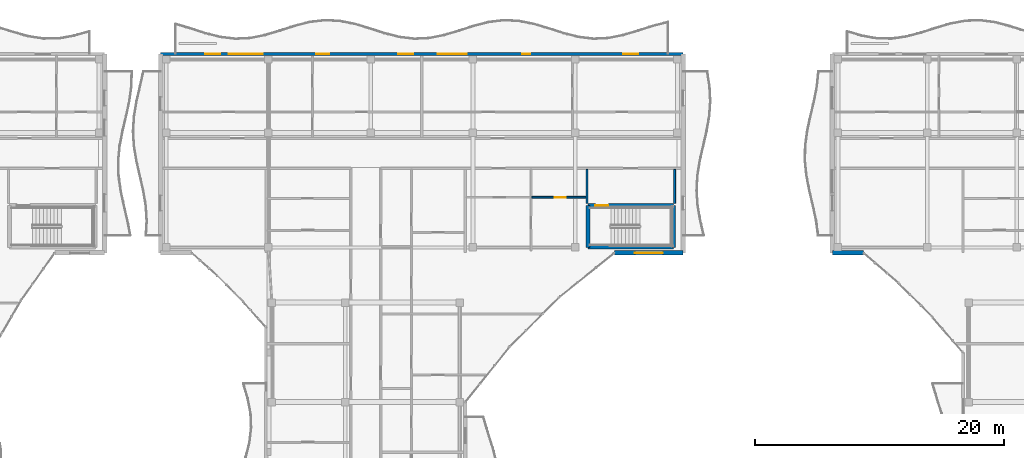
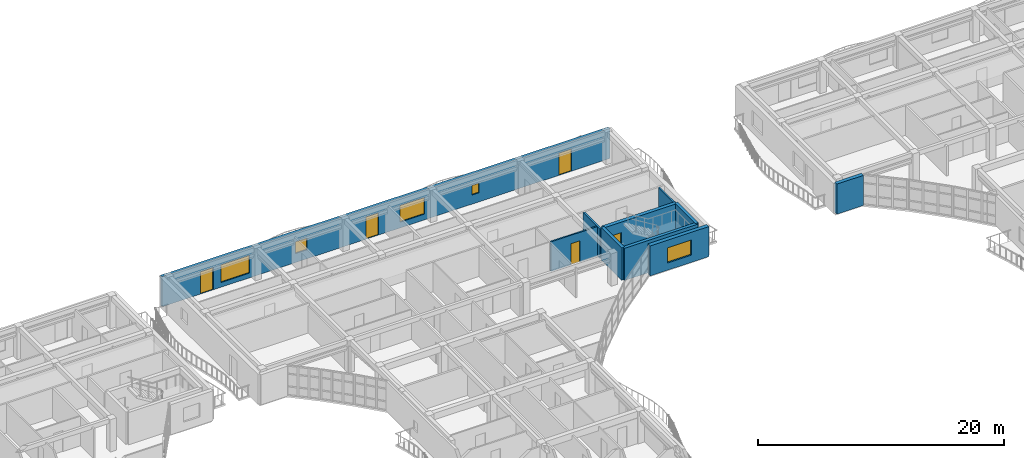
# One storey, part 45 of 79: 10 walls, 5 doors, 5 windows, 10 openings.
"""IFC4 building model written with IfcOpenShell, lengths in metres."""

from ifc_helpers import new_model, si_unit, direction, frame, frame_2d, origin, place, context, subcontext, project, spatial, rectangle, extrude, material, layer, layer_set, type_object, element, fill, save


model = new_model("IFC4")

# Units and contexts
model_context = context("Model", 3, precision=1e-05, world=origin(), true_north=direction((0.0, 1.0)))
body_context = subcontext(model_context, "Body", "Model", "MODEL_VIEW")
ifc_project = project(units=[si_unit("LENGTHUNIT", "METRE"), si_unit("AREAUNIT", "SQUARE_METRE"), si_unit("VOLUMEUNIT", "CUBIC_METRE"), si_unit("PLANEANGLEUNIT", "RADIAN"), si_unit("MASSUNIT", "GRAM", prefix="KILO")], contexts=[model_context])

# Site, building, storey
site_placement = place(None, origin())
site = spatial("IfcSite", under=ifc_project, at=site_placement, CompositionType="ELEMENT")
building_placement = place(site_placement, origin())
building = spatial("IfcBuilding", under=site, at=building_placement, Name="Keldmere Railside Commons", CompositionType="ELEMENT")
storey_placement = place(building_placement, frame((0.0, 0.0, 10.56005859375)))
storey = spatial("IfcBuildingStorey", under=building, at=storey_placement, Name="L03", CompositionType="ELEMENT", Elevation=10.56005859375)

# Wall, opening, window
ifc_material_1 = material(Name="Concrete H-35 (C35/45)", Category="concrete")
ifc_layer_1 = layer(ifc_material_1, 0.360107421875, Name="Exterior Shear Wall 360")
ifc_layer_set_1 = layer_set([ifc_layer_1], Name="Concrete H-35 (C35/45)")
wall_type_1 = type_object("IfcWallType", Name="Exterior Shear Wall 360", PredefinedType="SHEAR", material=ifc_layer_set_1)
wall_1_placement = place(storey_placement, frame((81.5, 100.0, 0.0), z_axis=(0.0, 0.0, 1.0), x_axis=(-1.0, 0.0, 0.0)))
wall_1 = element("IfcWall", 1, at=wall_1_placement, inside=storey, type_object=wall_type_1, Name="ESW-1 EXTC-L03-0346", PredefinedType="SHEAR", context=body_context, shape_type="SweptSolid", body=[
    extrude(rectangle(XDim=5.5, YDim=0.360107421875, at=frame_2d((2.75, 0.0))), origin(), (0.0, 0.0, 1.0), 2.97998046875),
])
opening_1_placement = place(wall_1_placement, frame((1.625, 0.0, 0.719970703125)))
opening_1 = element("IfcOpeningElement", 2, at=opening_1_placement, cuts=wall_1, Name="Opening WN-12", PredefinedType="OPENING", context=body_context, shape_type="SweptSolid", body=[
    extrude(rectangle(XDim=2.25, YDim=1.5, at=frame_2d((1.125, 0.75))), frame((0.0, 0.18994140625, 0.0), z_axis=(0.0, -1.0, 0.0), x_axis=(1.0, 0.0, 0.0)), (0.0, 0.0, 1.0), 0.380126953125),
])
ifc_material_2 = material(Name="Low-E Insulated Double Glazing", Category="glass")
window_type_1 = type_object("IfcWindowType", Name="Studio Court Ribbon Window 2250x1500", PartitioningType="SINGLE_PANEL", PredefinedType="WINDOW", material=ifc_material_2)
window_1_placement = place(opening_1_placement, origin())
window_1 = element("IfcWindow", 3, at=window_1_placement, inside=storey, type_object=window_type_1, Name="WN-12 WIN-L03-0216", OverallHeight=1.5, OverallWidth=2.25, PartitioningType="SINGLE_PANEL", PredefinedType="WINDOW", context=body_context, shape_type="SweptSolid", body=[
    extrude(rectangle(XDim=2.25, YDim=1.5, at=frame_2d((1.125, 0.75))), frame((0.0, 0.030029296875, 0.0), z_axis=(0.0, -1.0, 0.0), x_axis=(1.0, 0.0, 0.0)), (0.0, 0.0, 1.0), 0.06005859375),
])
fill(opening_1, window_1)

# Walls
wall_2_placement = place(storey_placement, frame((96.0, 100.0, 0.0), z_axis=(0.0, 0.0, 1.0), x_axis=(-1.0, 0.0, 0.0)))
element("IfcWall", 4, at=wall_2_placement, inside=storey, type_object=wall_type_1, Name="ESW-1 EXTB-L03-0608", PredefinedType="SHEAR", context=body_context, shape_type="SweptSolid", body=[
    extrude(rectangle(XDim=2.5, YDim=0.360107421875, at=frame_2d((1.25, 0.0))), origin(), (0.0, 0.0, 1.0), 2.97998046875),
])
ifc_layer_2 = layer(ifc_material_1, 0.300048828125, Name="Interior Shear Wall 300")
ifc_layer_set_2 = layer_set([ifc_layer_2], Name="Concrete H-35 (C35/45)")
wall_type_2 = type_object("IfcWallType", Name="Interior Shear Wall 300", PredefinedType="SHEAR", material=ifc_layer_set_2)
wall_3_placement = place(storey_placement, frame((73.85009765625, 100.449951171875, 0.0), z_axis=(0.0, 0.0, 1.0), x_axis=(1.0, 0.0, 0.0)))
element("IfcWall", 5, at=wall_3_placement, inside=storey, type_object=wall_type_2, Name="ISW-2 COREC2S-L03-0242", PredefinedType="SHEAR", context=body_context, shape_type="SweptSolid", body=[
    extrude(rectangle(XDim=6.89990234375, YDim=0.300048828125, at=frame_2d((3.449951171875, 0.0))), origin(), (0.0, 0.0, 1.0), 3.199951171875),
])
for number, where, z_axis, x_axis, name in (
    (6, (73.85009765625, 103.820068359375, 0.0), (0.0, 0.0, 1.0), (0.0, -1.0, 0.0), "ISW-2 COREC2W-L03-0244"),
    (7, (80.75, 100.449951171875, 0.0), (0.0, 0.0, 1.0), (0.0, 1.0, 0.0), "ISW-2 COREC2E-L03-0245"),
):
    element("IfcWall", number, at=place(storey_placement, frame(where, z_axis=z_axis, x_axis=x_axis)), inside=storey, type_object=wall_type_2, Name=name, PredefinedType="SHEAR", context=body_context, shape_type="SweptSolid", body=[
        extrude(rectangle(XDim=3.3701171875, YDim=0.300048828125, at=frame_2d((1.68505859375, 0.0))), origin(), (0.0, 0.0, 1.0), 3.199951171875),
    ])

# Wall, opening, door
ifc_layer_3 = layer(ifc_material_1, 0.340087890625, Name="Interior Shear Wall 340")
ifc_layer_set_3 = layer_set([ifc_layer_3], Name="Concrete H-35 (C35/45)")
wall_type_3 = type_object("IfcWallType", Name="Interior Shear Wall 340", PredefinedType="SHEAR", material=ifc_layer_set_3)
wall_4_placement = place(storey_placement, frame((80.75, 103.820068359375, 0.0), z_axis=(0.0, 0.0, 1.0), x_axis=(-1.0, 0.0, 0.0)))
wall_4 = element("IfcWall", 8, at=wall_4_placement, inside=storey, type_object=wall_type_3, Name="ISW-1 COREC2N-L03-0243", PredefinedType="SHEAR", context=body_context, shape_type="SweptSolid", body=[
    extrude(rectangle(XDim=6.89990234375, YDim=0.340087890625, at=frame_2d((3.449951171875, 0.0))), origin(), (0.0, 0.0, 1.0), 3.199951171875),
])
opening_2_placement = place(wall_4_placement, frame((5.25, 0.0, 0.0)))
opening_2 = element("IfcOpeningElement", 9, at=opening_2_placement, cuts=wall_4, Name="Opening FD-1", PredefinedType="OPENING", context=body_context, shape_type="SweptSolid", body=[
    extrude(rectangle(XDim=1.050048828125, YDim=2.14990234375, at=frame_2d((0.52490234375, 1.074951171875))), frame((0.0, 0.179931640625, 0.0), z_axis=(0.0, -1.0, 0.0), x_axis=(1.0, 0.0, 0.0)), (0.0, 0.0, 1.0), 0.360107421875),
])
ifc_material_3 = material(Name="Steel F-24 (S235)", Category="steel")
door_type_1 = type_object("IfcDoorType", Name="Stair Core Fire Door 1050x2150", OperationType="NOTDEFINED", PredefinedType="DOOR", material=ifc_material_3)
door_1_placement = place(opening_2_placement, origin())
door_1 = element("IfcDoor", 10, at=door_1_placement, inside=storey, type_object=door_type_1, Name="FD-1 C2 L03", OperationType="SINGLE_SWING_RIGHT", OverallHeight=2.14990234375, OverallWidth=1.050048828125, PredefinedType="DOOR", context=body_context, shape_type="SweptSolid", body=[
    extrude(rectangle(XDim=1.050048828125, YDim=2.14990234375, at=frame_2d((0.52490234375, 1.074951171875))), frame((0.0, 0.02490234375, 0.0), z_axis=(0.0, -1.0, 0.0), x_axis=(1.0, 0.0, 0.0)), (0.0, 0.0, 1.0), 0.050048828125),
])
fill(opening_2, door_1)

# Walls
ifc_material_4 = material(Name="Acoustic Gypsum Board Partition", Category="gypsum")
ifc_layer_4 = layer(ifc_material_4, 0.14990234375, Name="Lobby Rated Partition 150")
ifc_layer_set_4 = layer_set([ifc_layer_4], Name="Acoustic Gypsum Board Partition")
wall_type_4 = type_object("IfcWallType", Name="Lobby Rated Partition 150", PredefinedType="PARTITIONING", material=ifc_layer_set_4)
for number, where, z_axis, x_axis, name in (
    (11, (73.780029296875, 103.989990234375, 0.0), (0.0, 0.0, 1.0), (0.0, 1.0, 0.0), "IW-3 IW-L03-0602"),
    (12, (80.820068359375, 103.989990234375, 0.0), (0.0, 0.0, 1.0), (0.0, 1.0, 0.0), "IW-3 IW-L03-0603"),
):
    element("IfcWall", number, at=place(storey_placement, frame(where, z_axis=z_axis, x_axis=x_axis)), inside=storey, type_object=wall_type_4, Name=name, PredefinedType="PARTITIONING", context=body_context, shape_type="SweptSolid", body=[
        extrude(rectangle(XDim=2.72998046875, YDim=0.14990234375, at=frame_2d((1.364990234375, 0.0))), origin(), (0.0, 0.0, 1.0), 2.93505859375),
    ])

# Wall, openings, windows, doors
ifc_material_5 = material(Name="Terracotta Brick Masonry", Category="masonry")
ifc_layer_5 = layer(ifc_material_5, 0.260009765625, Name="Terracotta Cavity Wall 260")
ifc_layer_set_5 = layer_set([ifc_layer_5], Name="Terracotta Brick Masonry")
wall_type_5 = type_object("IfcWallType", Name="Terracotta Cavity Wall 260", PredefinedType="SOLIDWALL", material=ifc_layer_set_5)
wall_5_placement = place(storey_placement, frame((39.5, 116.0, 0.0), z_axis=(0.0, 0.0, 1.0), x_axis=(1.0, 0.0, 0.0)))
wall_5 = element("IfcWall", 13, at=wall_5_placement, inside=storey, type_object=wall_type_5, Name="EW-1 EXTC-L03-0348", PredefinedType="SOLIDWALL", context=body_context, shape_type="SweptSolid", body=[
    extrude(rectangle(XDim=42.0, YDim=0.260009765625, at=frame_2d((21.0, 0.0))), origin(), (0.0, 0.0, 1.0), 2.97998046875),
])
opening_3_placement = place(wall_5_placement, frame((3.60009765625, 0.0, 0.0)))
opening_3 = element("IfcOpeningElement", 14, at=opening_3_placement, cuts=wall_5, Name="Opening BD-01", PredefinedType="OPENING", context=body_context, shape_type="SweptSolid", body=[
    extrude(rectangle(XDim=1.199951171875, YDim=2.199951171875, at=frame_2d((0.60009765625, 1.10009765625))), frame((0.0, 0.139892578125, 0.0), z_axis=(0.0, -1.0, 0.0), x_axis=(1.0, 0.0, 0.0)), (0.0, 0.0, 1.0), 0.280029296875),
])
opening_4_placement = place(wall_5_placement, frame((5.5, 0.0, 0.469970703125)))
opening_4 = element("IfcOpeningElement", 15, at=opening_4_placement, cuts=wall_5, Name="Opening WN-19", PredefinedType="OPENING", context=body_context, shape_type="SweptSolid", body=[
    extrude(rectangle(XDim=2.699951171875, YDim=1.75, at=frame_2d((1.35009765625, 0.875))), frame((0.0, 0.139892578125, 0.0), z_axis=(0.0, -1.0, 0.0), x_axis=(1.0, 0.0, 0.0)), (0.0, 0.0, 1.0), 0.280029296875),
])
opening_5_placement = place(wall_5_placement, frame((12.52490234375, 0.0, 0.89990234375)))
opening_5 = element("IfcOpeningElement", 16, at=opening_5_placement, cuts=wall_5, Name="Opening WN-13", PredefinedType="OPENING", context=body_context, shape_type="SweptSolid", body=[
    extrude(rectangle(XDim=1.050048828125, YDim=1.14990234375, at=frame_2d((0.52490234375, 0.574951171875))), frame((0.0, 0.139892578125, 0.0), z_axis=(0.0, -1.0, 0.0), x_axis=(1.0, 0.0, 0.0)), (0.0, 0.0, 1.0), 0.280029296875),
])
opening_6_placement = place(wall_5_placement, frame((19.10009765625, 0.0, 0.0)))
opening_6 = element("IfcOpeningElement", 17, at=opening_6_placement, cuts=wall_5, Name="Opening BD-01", PredefinedType="OPENING", context=body_context, shape_type="SweptSolid", body=[
    extrude(rectangle(XDim=1.199951171875, YDim=2.199951171875, at=frame_2d((0.60009765625, 1.10009765625))), frame((0.0, 0.139892578125, 0.0), z_axis=(0.0, -1.0, 0.0), x_axis=(1.0, 0.0, 0.0)), (0.0, 0.0, 1.0), 0.280029296875),
])
opening_7_placement = place(wall_5_placement, frame((22.300048828125, 0.0, 0.570068359375)))
opening_7 = element("IfcOpeningElement", 18, at=opening_7_placement, cuts=wall_5, Name="Opening WN-23", PredefinedType="OPENING", context=body_context, shape_type="SweptSolid", body=[
    extrude(rectangle(XDim=2.300048828125, YDim=1.64990234375, at=frame_2d((1.14990234375, 0.824951171875))), frame((0.0, 0.139892578125, 0.0), z_axis=(0.0, -1.0, 0.0), x_axis=(1.0, 0.0, 0.0)), (0.0, 0.0, 1.0), 0.280029296875),
])
opening_8_placement = place(wall_5_placement, frame((29.074951171875, 0.0, 0.89990234375)))
opening_8 = element("IfcOpeningElement", 19, at=opening_8_placement, cuts=wall_5, Name="Opening WN-15", PredefinedType="OPENING", context=body_context, shape_type="SweptSolid", body=[
    extrude(rectangle(XDim=0.64990234375, YDim=0.949951171875, at=frame_2d((0.324951171875, 0.47509765625))), frame((0.0, 0.139892578125, 0.0), z_axis=(0.0, -1.0, 0.0), x_axis=(1.0, 0.0, 0.0)), (0.0, 0.0, 1.0), 0.280029296875),
])
opening_9_placement = place(wall_5_placement, frame((37.199951171875, 0.0, 0.0)))
opening_9 = element("IfcOpeningElement", 20, at=opening_9_placement, cuts=wall_5, Name="Opening BD-01", PredefinedType="OPENING", context=body_context, shape_type="SweptSolid", body=[
    extrude(rectangle(XDim=1.199951171875, YDim=2.199951171875, at=frame_2d((0.60009765625, 1.10009765625))), frame((0.0, 0.139892578125, 0.0), z_axis=(0.0, -1.0, 0.0), x_axis=(1.0, 0.0, 0.0)), (0.0, 0.0, 1.0), 0.280029296875),
])
window_type_2 = type_object("IfcWindowType", Name="Apartment Kitchen Casement Window 1050x1150", PartitioningType="SINGLE_PANEL", PredefinedType="WINDOW", material=ifc_material_2)
window_2_placement = place(opening_5_placement, origin())
window_2 = element("IfcWindow", 21, at=window_2_placement, inside=storey, type_object=window_type_2, Name="WN-13 WIN-L03-0220", OverallHeight=1.14990234375, OverallWidth=1.050048828125, PartitioningType="SINGLE_PANEL", PredefinedType="WINDOW", context=body_context, shape_type="SweptSolid", body=[
    extrude(rectangle(XDim=1.050048828125, YDim=1.14990234375, at=frame_2d((0.52490234375, 0.574951171875))), frame((0.0, 0.030029296875, 0.0), z_axis=(0.0, -1.0, 0.0), x_axis=(1.0, 0.0, 0.0)), (0.0, 0.0, 1.0), 0.06005859375),
])
fill(opening_5, window_2)
ifc_material_6 = material(Name="Thermally Broken Aluminium", Category="aluminium")
door_type_2 = type_object("IfcDoorType", Name="Apartment Living Wave-Balcony Glazed Door 1200x2200", OperationType="NOTDEFINED", PredefinedType="DOOR", material=ifc_material_6)
door_2_placement = place(opening_3_placement, origin())
door_2 = element("IfcDoor", 22, at=door_2_placement, inside=storey, type_object=door_type_2, Name="BD-01 DR-L03-0072", OperationType="SINGLE_SWING_RIGHT", OverallHeight=2.199951171875, OverallWidth=1.199951171875, PredefinedType="DOOR", context=body_context, shape_type="SweptSolid", body=[
    extrude(rectangle(XDim=1.199951171875, YDim=2.199951171875, at=frame_2d((0.60009765625, 1.10009765625))), frame((0.0, 0.02490234375, 0.0), z_axis=(0.0, -1.0, 0.0), x_axis=(1.0, 0.0, 0.0)), (0.0, 0.0, 1.0), 0.050048828125),
])
fill(opening_3, door_2)
door_3_placement = place(opening_6_placement, origin())
door_3 = element("IfcDoor", 23, at=door_3_placement, inside=storey, type_object=door_type_2, Name="BD-01 DR-L03-0073", OperationType="SINGLE_SWING_LEFT", OverallHeight=2.199951171875, OverallWidth=1.199951171875, PredefinedType="DOOR", context=body_context, shape_type="SweptSolid", body=[
    extrude(rectangle(XDim=1.199951171875, YDim=2.199951171875, at=frame_2d((0.60009765625, 1.10009765625))), frame((0.0, 0.02490234375, 0.0), z_axis=(0.0, -1.0, 0.0), x_axis=(1.0, 0.0, 0.0)), (0.0, 0.0, 1.0), 0.050048828125),
])
fill(opening_6, door_3)
door_4_placement = place(opening_9_placement, origin())
door_4 = element("IfcDoor", 24, at=door_4_placement, inside=storey, type_object=door_type_2, Name="BD-01 DR-L03-0074", OperationType="SINGLE_SWING_RIGHT", OverallHeight=2.199951171875, OverallWidth=1.199951171875, PredefinedType="DOOR", context=body_context, shape_type="SweptSolid", body=[
    extrude(rectangle(XDim=1.199951171875, YDim=2.199951171875, at=frame_2d((0.60009765625, 1.10009765625))), frame((0.0, 0.02490234375, 0.0), z_axis=(0.0, -1.0, 0.0), x_axis=(1.0, 0.0, 0.0)), (0.0, 0.0, 1.0), 0.050048828125),
])
fill(opening_9, door_4)
window_type_3 = type_object("IfcWindowType", Name="Exterior Bathroom Frosted Window 650x950", PartitioningType="SINGLE_PANEL", PredefinedType="WINDOW", material=ifc_material_2)
window_3_placement = place(opening_8_placement, origin())
window_3 = element("IfcWindow", 25, at=window_3_placement, inside=storey, type_object=window_type_3, Name="WN-15 WIN-L03-0222", OverallHeight=0.949951171875, OverallWidth=0.64990234375, PartitioningType="SINGLE_PANEL", PredefinedType="WINDOW", context=body_context, shape_type="SweptSolid", body=[
    extrude(rectangle(XDim=0.64990234375, YDim=0.949951171875, at=frame_2d((0.324951171875, 0.47509765625))), frame((0.0, 0.030029296875, 0.0), z_axis=(0.0, -1.0, 0.0), x_axis=(1.0, 0.0, 0.0)), (0.0, 0.0, 1.0), 0.06005859375),
])
fill(opening_8, window_3)
window_type_4 = type_object("IfcWindowType", Name="Resident Lounge Panorama Window 2700x1750", PartitioningType="SINGLE_PANEL", PredefinedType="WINDOW", material=ifc_material_2)
window_4_placement = place(opening_4_placement, origin())
window_4 = element("IfcWindow", 26, at=window_4_placement, inside=storey, type_object=window_type_4, Name="WN-19 WIN-L03-0219", OverallHeight=1.75, OverallWidth=2.699951171875, PartitioningType="SINGLE_PANEL", PredefinedType="WINDOW", context=body_context, shape_type="SweptSolid", body=[
    extrude(rectangle(XDim=2.699951171875, YDim=1.75, at=frame_2d((1.35009765625, 0.875))), frame((0.0, 0.030029296875, 0.0), z_axis=(0.0, -1.0, 0.0), x_axis=(1.0, 0.0, 0.0)), (0.0, 0.0, 1.0), 0.06005859375),
])
fill(opening_4, window_4)
window_type_5 = type_object("IfcWindowType", Name="Setback Terrace Penthouse Window 2300x1650", PartitioningType="SINGLE_PANEL", PredefinedType="WINDOW", material=ifc_material_2)
window_5_placement = place(opening_7_placement, origin())
window_5 = element("IfcWindow", 27, at=window_5_placement, inside=storey, type_object=window_type_5, Name="WN-23 WIN-L03-0221", OverallHeight=1.64990234375, OverallWidth=2.300048828125, PartitioningType="SINGLE_PANEL", PredefinedType="WINDOW", context=body_context, shape_type="SweptSolid", body=[
    extrude(rectangle(XDim=2.300048828125, YDim=1.64990234375, at=frame_2d((1.14990234375, 0.824951171875))), frame((0.0, 0.030029296875, 0.0), z_axis=(0.0, -1.0, 0.0), x_axis=(1.0, 0.0, 0.0)), (0.0, 0.0, 1.0), 0.06005859375),
])
fill(opening_7, window_5)

# Wall, opening, door
ifc_layer_6 = layer(ifc_material_4, 0.139892578125, Name="Wet-Room Sanitary Partition 140")
ifc_layer_set_6 = layer_set([ifc_layer_6], Name="Acoustic Gypsum Board Partition")
wall_type_6 = type_object("IfcWallType", Name="Wet-Room Sanitary Partition 140", PredefinedType="PARTITIONING", material=ifc_layer_set_6)
wall_6_placement = place(storey_placement, frame((69.340087890625, 104.469970703125, 0.0), z_axis=(0.0, 0.0, 1.0), x_axis=(1.0, 0.0, 0.0)))
wall_6 = element("IfcWall", 28, at=wall_6_placement, inside=storey, type_object=wall_type_6, Name="IW-5 IW-L03-0629", PredefinedType="PARTITIONING", context=body_context, shape_type="SweptSolid", body=[
    extrude(rectangle(XDim=4.35986328125, YDim=0.139892578125, at=frame_2d((2.179931640625, 0.0))), origin(), (0.0, 0.0, 1.0), 2.93505859375),
])
opening_10_placement = place(wall_6_placement, frame((1.8564453125, 0.0, 0.0)))
opening_10 = element("IfcOpeningElement", 29, at=opening_10_placement, cuts=wall_6, Name="Opening ID-04", PredefinedType="OPENING", context=body_context, shape_type="SweptSolid", body=[
    extrude(rectangle(XDim=0.860107421875, YDim=2.10009765625, at=frame_2d((0.43017578125, 1.050048828125))), frame((0.0, 0.079833984375, 0.0), z_axis=(0.0, -1.0, 0.0), x_axis=(1.0, 0.0, 0.0)), (0.0, 0.0, 1.0), 0.159912109375),
])
ifc_material_7 = material(Name="Engineered Oak Timber", Category="wood")
door_type_3 = type_object("IfcDoorType", Name="Apartment Bathroom Door 860x2100", OperationType="NOTDEFINED", PredefinedType="DOOR", material=ifc_material_7)
door_5_placement = place(opening_10_placement, origin())
door_5 = element("IfcDoor", 30, at=door_5_placement, inside=storey, type_object=door_type_3, Name="ID-04 IDR-L03-0523", OperationType="SINGLE_SWING_LEFT", OverallHeight=2.10009765625, OverallWidth=0.860107421875, PredefinedType="DOOR", context=body_context, shape_type="SweptSolid", body=[
    extrude(rectangle(XDim=0.860107421875, YDim=2.10009765625, at=frame_2d((0.43017578125, 1.050048828125))), frame((0.0, 0.02490234375, 0.0), z_axis=(0.0, -1.0, 0.0), x_axis=(1.0, 0.0, 0.0)), (0.0, 0.0, 1.0), 0.050048828125),
])
fill(opening_10, door_5)

save(model, "model.ifc")
